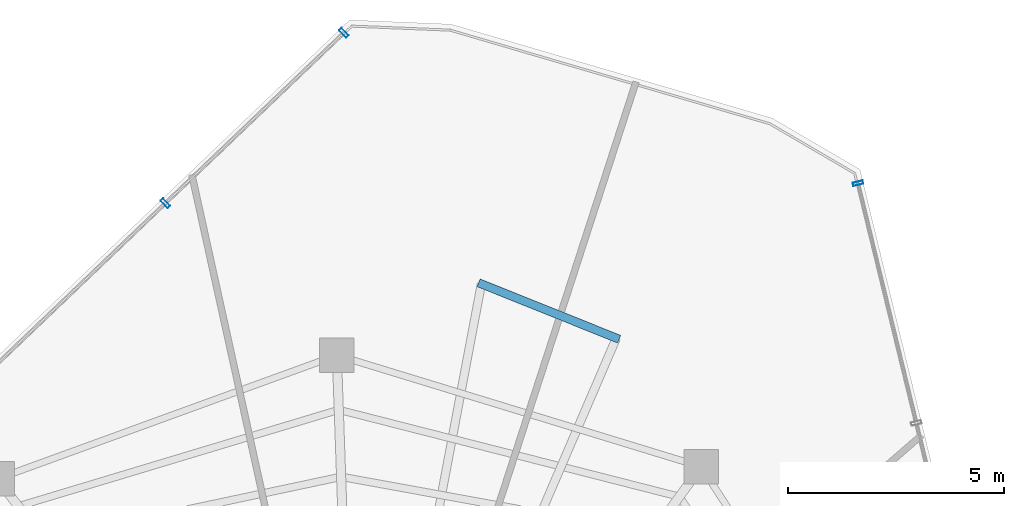
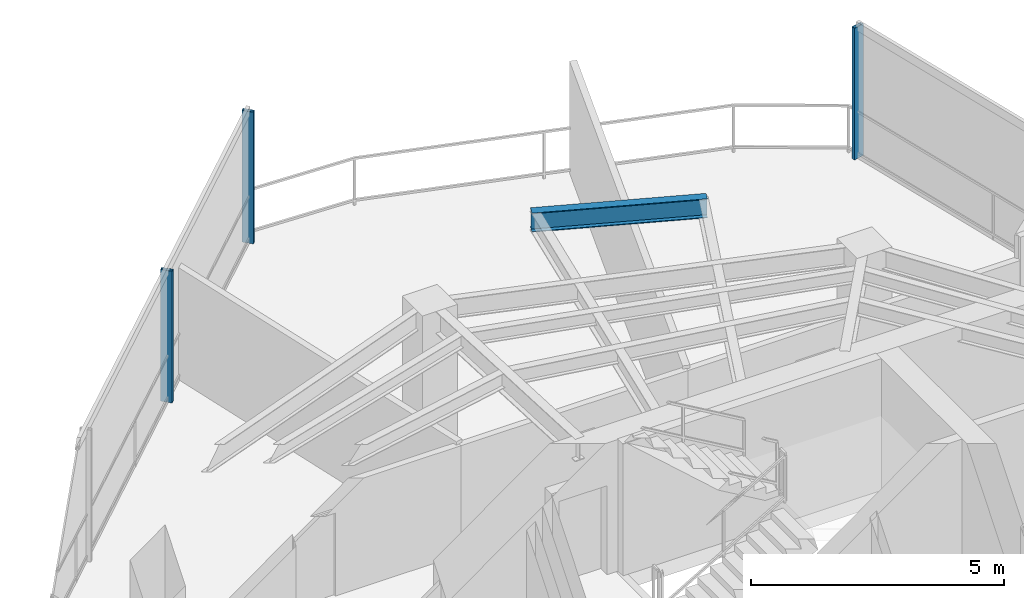
# One storey, part 13 of 19: 3 members, 1 beam, 2 elements without a shape of their own.
"""IFC4 building model written with IfcOpenShell, lengths in metres."""

from ifc_helpers import new_model, si_unit, direction, frame, origin, origin_2d, place, context, subcontext, project, spatial, hollow_rectangle, i_section, extrude, material, layer, layer_set, material_profile, profile_set, type_object, element, aggregate, save


model = new_model("IFC4")

# Units and contexts
model_context = context("Model", 3, precision=1e-05, world=origin(), true_north=direction((0.0, 1.0)))
body_context = subcontext(model_context, "Body", "Model", "MODEL_VIEW")
ifc_project = project(units=[si_unit("LENGTHUNIT", "METRE"), si_unit("AREAUNIT", "SQUARE_METRE"), si_unit("VOLUMEUNIT", "CUBIC_METRE"), si_unit("PLANEANGLEUNIT", "RADIAN"), si_unit("MASSUNIT", "GRAM", prefix="KILO")], contexts=[model_context])

# Site, building, storey
site_placement = place(None, origin())
site = spatial("IfcSite", under=ifc_project, at=site_placement, CompositionType="ELEMENT")
building_placement = place(site_placement, origin())
building = spatial("IfcBuilding", under=site, at=building_placement, Name="Qarnah Convention Tower", CompositionType="ELEMENT")
storey_placement = place(building_placement, frame((0.0, 0.0, 231.89990234375)))
storey = spatial("IfcBuildingStorey", under=building, at=storey_placement, Name="L62", CompositionType="ELEMENT", Elevation=231.89990234375)

# Beam
ifc_material_1 = material(Name="Structural steel S355JR", Category="steel")
ifc_material_profile_1 = material_profile(ifc_material_1, i_section(OverallWidth=0.19189453125, OverallDepth=0.464111328125, WebThickness=0.010986328125, FlangeThickness=0.01806640625, at=origin_2d()), Name="W460X89")
ifc_profile_set_1 = profile_set([ifc_material_profile_1], Name="Structural steel S355JR")
beam_type = type_object("IfcBeamType", Name="BM-CANT-W460A", PredefinedType="BEAM", material=ifc_profile_set_1)
beam_placement = place(storey_placement, frame((40.009033203125, 41.6201171875, 2.947998046875), z_axis=(0.928063247738, -0.372422620417, 0.0), x_axis=(0.372422620417, 0.928063247738, 0.0)))
element("IfcBeam", 1, at=beam_placement, inside=storey, type_object=beam_type, Name="L62 spandrel BM-L62-CTIE-01", PredefinedType="SPANDREL", context=body_context, shape_type="SweptSolid", body=[
    extrude(i_section(OverallWidth=0.19189453125, OverallDepth=0.464111328125, WebThickness=0.010986328125, FlangeThickness=0.01806640625, at=origin_2d()), origin(), (0.0, 0.0, 1.0), 3.507080078125),
])

# Curtain wall, members
ifc_material_2 = material(Name="Tempered Low-E dark glass", Category="glass")
ifc_layer = layer(ifc_material_2, 0.176025390625)
ifc_layer_set = layer_set([ifc_layer], Name="Tempered Low-E dark glass")
curtain_wall_type = type_object("IfcCurtainWallType", Name="CWS-05", PredefinedType="NOTDEFINED", material=ifc_layer_set)
curtain_wall_1_placement = place(storey_placement, origin())
curtain_wall_1 = element("IfcCurtainWall", 2, at=curtain_wall_1_placement, inside=storey, type_object=curtain_wall_type, Name="L62 unitised curtain wall CW-L62-F1", PredefinedType="NOTDEFINED")
ifc_material_3 = material(Name="Black anodised aluminium", Category="aluminium")
ifc_material_profile_2 = material_profile(ifc_material_3, hollow_rectangle(XDim=0.080078125, YDim=0.239990234375, WallThickness=0.0048828125, at=origin_2d()), Name="MUL-80X240")
ifc_profile_set_2 = profile_set([ifc_material_profile_2], Name="Black anodised aluminium")
member_type = type_object("IfcMemberType", Name="MUL-T5", PredefinedType="MULLION", material=ifc_profile_set_2)
member_1_placement = place(storey_placement, frame((32.756103515625, 43.465087890625, 0.0), z_axis=(0.0, 0.0, 1.0), x_axis=(0.723193439015, 0.6906455312, 0.0)))
member_1 = element("IfcMember", 3, at=member_1_placement, type_object=member_type, Name="CW-L62-F1 mullion 5", PredefinedType="MULLION", context=body_context, shape_type="SweptSolid", body=[
    extrude(hollow_rectangle(XDim=0.080078125, YDim=0.239990234375, WallThickness=0.0048828125, at=origin_2d()), origin(), (0.0, 0.0, 1.0), 3.18017578125),
])
member_2_placement = place(storey_placement, frame((36.888916015625, 47.412109375, 0.0), z_axis=(0.0, 0.0, 1.0), x_axis=(0.723193439015, 0.6906455312, 0.0)))
member_2 = element("IfcMember", 4, at=member_2_placement, type_object=member_type, Name="CW-L62-F1 mullion 6", PredefinedType="MULLION", context=body_context, shape_type="SweptSolid", body=[
    extrude(hollow_rectangle(XDim=0.080078125, YDim=0.239990234375, WallThickness=0.0048828125, at=origin_2d()), origin(), (0.0, 0.0, 1.0), 3.18017578125),
])
aggregate(curtain_wall_1, [member_1, member_2])

# Curtain wall, member
curtain_wall_2_placement = place(storey_placement, origin())
curtain_wall_2 = element("IfcCurtainWall", 5, at=curtain_wall_2_placement, inside=storey, type_object=curtain_wall_type, Name="L62 unitised curtain wall CW-L62-F3", PredefinedType="NOTDEFINED")
member_3_placement = place(storey_placement, frame((48.794921875, 43.925048828125, 0.0), z_axis=(0.0, 0.0, 1.0), x_axis=(0.236494469189, -0.971632834996, 0.0)))
member_3 = element("IfcMember", 6, at=member_3_placement, type_object=member_type, Name="CW-L62-F3 mullion 1", PredefinedType="MULLION", context=body_context, shape_type="SweptSolid", body=[
    extrude(hollow_rectangle(XDim=0.080078125, YDim=0.239990234375, WallThickness=0.0048828125, at=origin_2d()), origin(), (0.0, 0.0, 1.0), 3.18017578125),
])
aggregate(curtain_wall_2, [member_3])

save(model, "model.ifc")
